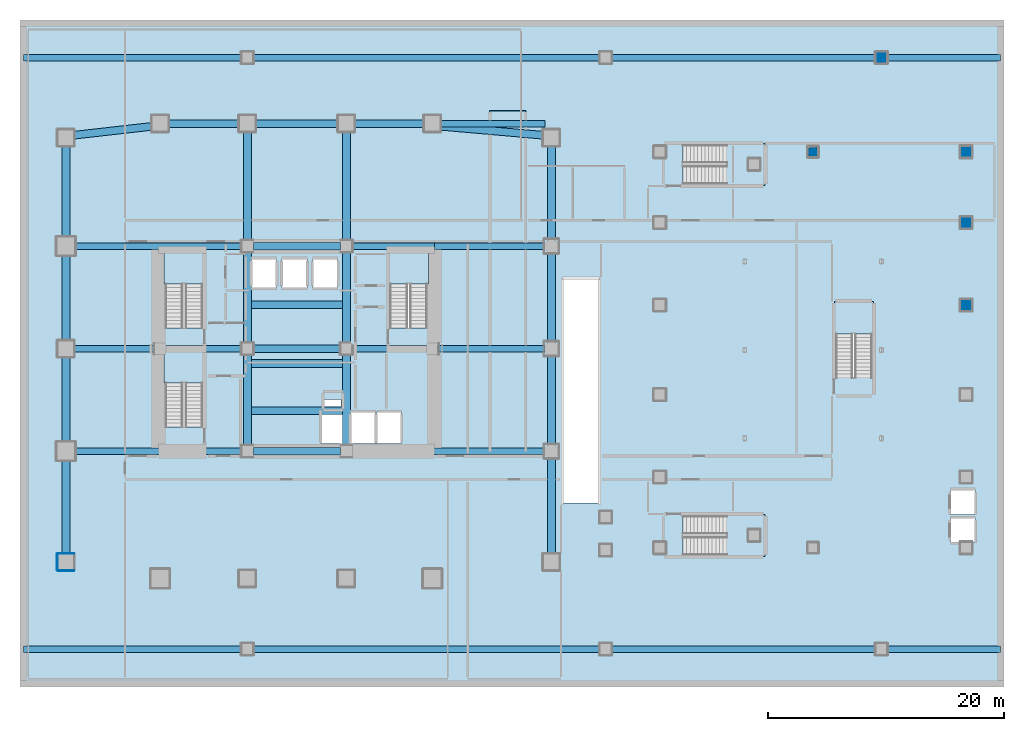
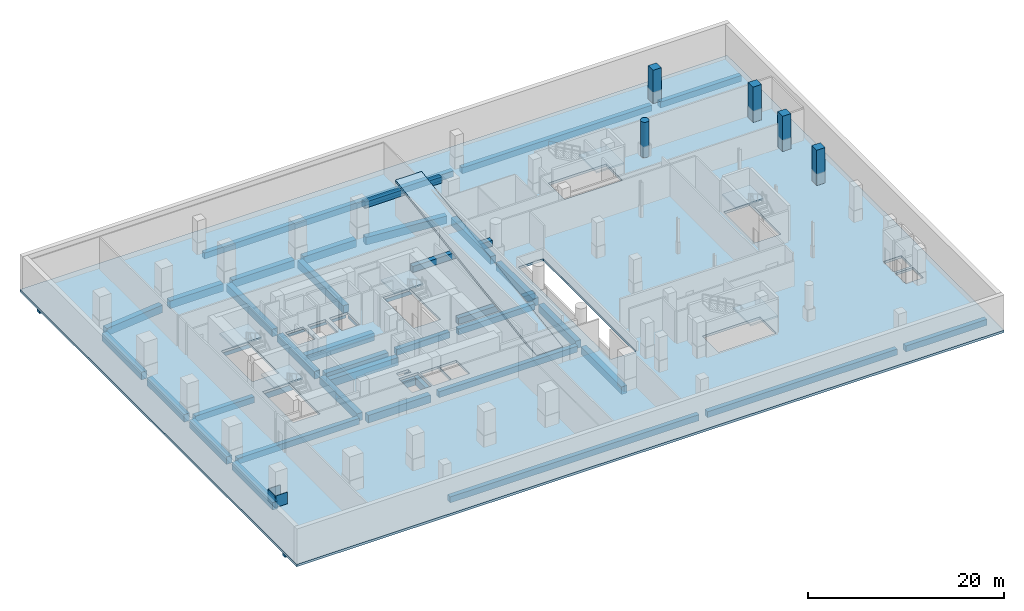
# One storey, part 6 of 22: 44 beams, 8 slabs, 5 columns, 3 walls, 6 elements without a shape of their own.
"""IFC4 building model written with IfcOpenShell, lengths in metres."""

from ifc_helpers import new_model, si_unit, direction, frame, frame_2d, origin, origin_with_axes, origin_2d, place, context, subcontext, project, spatial, polyline, rectangle, circle, outline, extrude, clip, halfspace, material, layer, layer_set, material_profile, profile_set, type_object, element, aggregate, save


model = new_model("IFC4")

# Units and contexts
model_context = context("Model", 3, precision=1e-05, world=origin(), true_north=direction((0.0, 1.0)))
body_context = subcontext(model_context, "Body", "Model", "MODEL_VIEW")
ifc_project = project(units=[si_unit("LENGTHUNIT", "METRE"), si_unit("AREAUNIT", "SQUARE_METRE"), si_unit("VOLUMEUNIT", "CUBIC_METRE"), si_unit("PLANEANGLEUNIT", "RADIAN"), si_unit("MASSUNIT", "GRAM", prefix="KILO")], contexts=[model_context])

# Site, building, storey
site_placement = place(None, origin())
site = spatial("IfcSite", under=ifc_project, at=site_placement, CompositionType="ELEMENT")
building_placement = place(site_placement, origin())
building = spatial("IfcBuilding", under=site, at=building_placement, Name="Solanera Arch Residences", CompositionType="ELEMENT")
storey_placement = place(building_placement, frame((0.0, 0.0, -4.39990234375)))
storey = spatial("IfcBuildingStorey", under=building, at=storey_placement, Name="B01", CompositionType="ELEMENT", Elevation=-4.39990234375)

# Columns
ifc_material_1 = material(Name="Concrete C55/67 (f'c = 60 MPa)", Category="concrete")
ifc_material_profile_1 = material_profile(ifc_material_1, rectangle(XDim=1.0, YDim=1.0, at=origin_2d()))
ifc_profile_set_1 = profile_set([ifc_material_profile_1], Name="Concrete C55/67 (f'c = 60 MPa)")
column_type_1 = type_object("IfcColumnType", Name="Structural Column RC-COL-1000X1000", PredefinedType="COLUMN", material=ifc_profile_set_1)
column_1_placement = place(storey_placement, frame((74.60009765625, 55.39990234375, 0.0), z_axis=(0.0, 0.0, 1.0), x_axis=(1.0, 0.0, 0.0)))
element("IfcColumn", 1, at=column_1_placement, inside=storey, type_object=column_type_1, Name="COL-B01-PAD-14", PredefinedType="COLUMN", context=body_context, shape_type="SweptSolid", body=[
    extrude(rectangle(XDim=1.0, YDim=1.0, at=origin_2d()), origin(), (0.0, 0.0, 1.0), 4.159912109375),
])
for number, where, z_axis, x_axis, name in (
    (2, (81.800048828125, 34.39990234375, 0.0), (0.0, 0.0, 1.0), (1.0, 0.0, 0.0), "COL-B01-HALL-10"),
    (3, (81.800048828125, 41.39990234375, 0.0), (0.0, 0.0, 1.0), (1.0, 0.0, 0.0), "COL-B01-HALL-11"),
    (4, (81.800048828125, 47.39990234375, 0.0), (0.0, 0.0, 1.0), (1.0, 0.0, 0.0), "COL-B01-HALL-12"),
):
    element("IfcColumn", number, at=place(storey_placement, frame(where, z_axis=z_axis, x_axis=x_axis)), inside=storey, type_object=column_type_1, Name=name, PredefinedType="COLUMN", context=body_context, shape_type="SweptSolid", body=[
        extrude(rectangle(XDim=1.0, YDim=1.0, at=origin_2d()), origin(), (0.0, 0.0, 1.0), 4.39990234375),
    ])
ifc_material_2 = material(Name="Concrete C40/50 (f'c = 45 MPa)", Category="concrete")
ifc_material_profile_2 = material_profile(ifc_material_2, circle(Radius=0.449951171875, at=origin_2d()))
ifc_profile_set_2 = profile_set([ifc_material_profile_2], Name="Concrete C40/50 (f'c = 45 MPa)")
column_type_2 = type_object("IfcColumnType", Name="Structural Column RC-COL-D900", PredefinedType="COLUMN", material=ifc_profile_set_2)
column_2_placement = place(storey_placement, frame((68.800048828125, 47.39990234375, 0.0), z_axis=(0.0, 0.0, 1.0), x_axis=(1.0, 0.0, 0.0)))
element("IfcColumn", 5, at=column_2_placement, inside=storey, type_object=column_type_2, Name="COL-B01-HALL-14", PredefinedType="COLUMN", context=body_context, shape_type="SweptSolid", body=[
    extrude(circle(Radius=0.449951171875, at=origin_2d()), origin(), (0.0, 0.0, 1.0), 4.39990234375),
])

# Beams
ifc_material_3 = material(Name="Concrete C40/50 (f'c = 45 MPa)", Category="concrete")
ifc_material_profile_3 = material_profile(ifc_material_3, rectangle(XDim=0.550048828125, YDim=0.75, at=origin_2d()))
ifc_profile_set_3 = profile_set([ifc_material_profile_3], Name="Concrete C40/50 (f'c = 45 MPa)")
beam_type_1 = type_object("IfcBeamType", Name="Primary Beam RC-BM-550X750", PredefinedType="BEAM", material=ifc_profile_set_3)
beam_1_placement = place(storey_placement, frame((5.93994140625, 22.0, -0.675048828125), z_axis=(1.0, 0.0, 0.0), x_axis=(0.0, 1.0, 0.0)))
element("IfcBeam", 6, at=beam_1_placement, inside=storey, type_object=beam_type_1, Name="BM-B01-POD-RW-22", PredefinedType="BEAM", context=body_context, shape_type="SweptSolid", body=[
    extrude(rectangle(XDim=0.550048828125, YDim=0.75, at=origin_2d()), origin(), (0.0, 0.0, 1.0), 14.35595703125),
])
beam_2_placement = place(storey_placement, frame((29.7041015625, 22.0, -0.675048828125), z_axis=(1.0, 0.0, 0.0), x_axis=(0.0, 1.0, 0.0)))
element("IfcBeam", 7, at=beam_2_placement, inside=storey, type_object=beam_type_1, Name="BM-B01-POD-RE-22", PredefinedType="BEAM", context=body_context, shape_type="SweptSolid", body=[
    extrude(rectangle(XDim=0.550048828125, YDim=0.75, at=origin_2d()), origin(), (0.0, 0.0, 1.0), 16.35595703125),
])
beam_3_placement = place(storey_placement, frame((5.93994140625, 30.699951171875, -0.675048828125), z_axis=(1.0, 0.0, 0.0), x_axis=(0.0, 1.0, 0.0)))
element("IfcBeam", 8, at=beam_3_placement, inside=storey, type_object=beam_type_1, Name="BM-B01-POD-RW-30", PredefinedType="BEAM", context=body_context, shape_type="SweptSolid", body=[
    extrude(rectangle(XDim=0.550048828125, YDim=0.75, at=origin_2d()), origin(), (0.0, 0.0, 1.0), 6.9560546875),
])
beam_4_placement = place(storey_placement, frame((37.00390625, 30.699951171875, -0.675048828125), z_axis=(1.0, 0.0, 0.0), x_axis=(0.0, 1.0, 0.0)))
element("IfcBeam", 9, at=beam_4_placement, inside=storey, type_object=beam_type_1, Name="BM-B01-POD-RE-30", PredefinedType="BEAM", context=body_context, shape_type="SweptSolid", body=[
    extrude(rectangle(XDim=0.550048828125, YDim=0.75, at=origin_2d()), origin(), (0.0, 0.0, 1.0), 9.05615234375),
])
beam_5_placement = place(storey_placement, frame((5.93994140625, 39.39990234375, -0.675048828125), z_axis=(1.0, 0.0, 0.0), x_axis=(0.0, 1.0, 0.0)))
element("IfcBeam", 10, at=beam_5_placement, inside=storey, type_object=beam_type_1, Name="BM-B01-POD-RW-39", PredefinedType="BEAM", context=body_context, shape_type="SweptSolid", body=[
    extrude(rectangle(XDim=0.550048828125, YDim=0.75, at=origin_2d()), origin(), (0.0, 0.0, 1.0), 14.35595703125),
])
beam_6_placement = place(storey_placement, frame((29.7041015625, 39.39990234375, -0.675048828125), z_axis=(1.0, 0.0, 0.0), x_axis=(0.0, 1.0, 0.0)))
element("IfcBeam", 11, at=beam_6_placement, inside=storey, type_object=beam_type_1, Name="BM-B01-POD-RE-39", PredefinedType="BEAM", context=body_context, shape_type="SweptSolid", body=[
    extrude(rectangle(XDim=0.550048828125, YDim=0.75, at=origin_2d()), origin(), (0.0, 0.0, 1.0), 16.35595703125),
])
beam_7_placement = place(storey_placement, frame((13.904052734375, 30.699951171875, -0.675048828125), z_axis=(1.0, 0.0, 0.0), x_axis=(0.0, 1.0, 0.0)))
element("IfcBeam", 12, at=beam_7_placement, inside=storey, type_object=beam_type_1, Name="BM-B01-HCCW", PredefinedType="BEAM", context=body_context, shape_type="SweptSolid", body=[
    extrude(rectangle(XDim=0.550048828125, YDim=0.75, at=origin_2d()), origin(), (0.0, 0.0, 1.0), 6.391845703125),
])
beam_8_placement = place(storey_placement, frame((29.7041015625, 30.699951171875, -0.675048828125), z_axis=(1.0, 0.0, 0.0), x_axis=(0.0, 1.0, 0.0)))
element("IfcBeam", 13, at=beam_8_placement, inside=storey, type_object=beam_type_1, Name="BM-B01-HCCE", PredefinedType="BEAM", context=body_context, shape_type="SweptSolid", body=[
    extrude(rectangle(XDim=0.550048828125, YDim=0.75, at=origin_2d()), origin(), (0.0, 0.0, 1.0), 6.2919921875),
])
beam_9_placement = place(storey_placement, frame((37.00390625, 30.699951171875, 0.65478515625), z_axis=(1.0, 0.0, 0.0), x_axis=(0.0, 1.0, 0.0)))
element("IfcBeam", 14, at=beam_9_placement, inside=storey, type_object=beam_type_1, Name="BM-B01-VRMP-1", PredefinedType="BEAM", context=body_context, shape_type="SweptSolid", body=[
    extrude(rectangle(XDim=0.550048828125, YDim=0.75, at=origin_2d()), origin(), (0.0, 0.0, 1.0), 9.05615234375),
])
beam_10_placement = place(storey_placement, frame((36.659912109375, 39.39990234375, 1.98486328125), z_axis=(1.0, 0.0, 0.0), x_axis=(0.0, 1.0, 0.0)))
element("IfcBeam", 15, at=beam_10_placement, inside=storey, type_object=beam_type_1, Name="BM-B01-VRMP-2", PredefinedType="BEAM", context=body_context, shape_type="SweptSolid", body=[
    extrude(rectangle(XDim=0.550048828125, YDim=0.75, at=origin_2d()), origin(), (0.0, 0.0, 1.0), 9.400146484375),
])
beam_11_placement = place(storey_placement, frame((36.97998046875, 49.800048828125, 3.574951171875), z_axis=(1.0, 0.0, 0.0), x_axis=(0.0, 1.0, 0.0)))
element("IfcBeam", 16, at=beam_11_placement, inside=storey, type_object=beam_type_1, Name="BM-B01-VRMP-3", PredefinedType="BEAM", context=body_context, shape_type="SweptSolid", body=[
    extrude(rectangle(XDim=0.550048828125, YDim=0.75, at=origin_2d()), origin(), (0.0, 0.0, 1.0), 9.080078125),
])
beam_12_placement = place(storey_placement, frame((1.800048828125, 5.199951171875, -0.675048828125), z_axis=(1.0, 0.0, 0.0), x_axis=(0.0, 1.0, 0.0)))
element("IfcBeam", 17, at=beam_12_placement, inside=storey, type_object=beam_type_1, Name="BM-B01-BS-1", PredefinedType="BEAM", context=body_context, shape_type="SweptSolid", body=[
    extrude(rectangle(XDim=0.550048828125, YDim=0.75, at=origin_2d()), origin(), (0.0, 0.0, 1.0), 18.5),
])
beam_13_placement = place(storey_placement, frame((21.300048828125, 5.199951171875, -0.675048828125), z_axis=(1.0, 0.0, 0.0), x_axis=(0.0, 1.0, 0.0)))
element("IfcBeam", 18, at=beam_13_placement, inside=storey, type_object=beam_type_1, Name="BM-B01-BS-2", PredefinedType="BEAM", context=body_context, shape_type="SweptSolid", body=[
    extrude(rectangle(XDim=0.550048828125, YDim=0.75, at=origin_2d()), origin(), (0.0, 0.0, 1.0), 29.39990234375),
])
beam_14_placement = place(storey_placement, frame((51.699951171875, 5.199951171875, -0.675048828125), z_axis=(1.0, 0.0, 0.0), x_axis=(0.0, 1.0, 0.0)))
element("IfcBeam", 19, at=beam_14_placement, inside=storey, type_object=beam_type_1, Name="BM-B01-BS-3", PredefinedType="BEAM", context=body_context, shape_type="SweptSolid", body=[
    extrude(rectangle(XDim=0.550048828125, YDim=0.75, at=origin_2d()), origin(), (0.0, 0.0, 1.0), 22.400146484375),
])
beam_15_placement = place(storey_placement, frame((75.10009765625, 5.199951171875, -0.675048828125), z_axis=(1.0, 0.0, 0.0), x_axis=(0.0, 1.0, 0.0)))
element("IfcBeam", 20, at=beam_15_placement, inside=storey, type_object=beam_type_1, Name="BM-B01-BS-4", PredefinedType="BEAM", context=body_context, shape_type="SweptSolid", body=[
    extrude(rectangle(XDim=0.550048828125, YDim=0.75, at=origin_2d()), origin(), (0.0, 0.0, 1.0), 9.599853515625),
])
beam_16_placement = place(storey_placement, frame((1.800048828125, 55.39990234375, -0.675048828125), z_axis=(1.0, 0.0, 0.0), x_axis=(0.0, 1.0, 0.0)))
element("IfcBeam", 21, at=beam_16_placement, inside=storey, type_object=beam_type_1, Name="BM-B01-BN-1", PredefinedType="BEAM", context=body_context, shape_type="SweptSolid", body=[
    extrude(rectangle(XDim=0.550048828125, YDim=0.75, at=origin_2d()), origin(), (0.0, 0.0, 1.0), 18.5),
])
beam_17_placement = place(storey_placement, frame((21.300048828125, 55.39990234375, -0.675048828125), z_axis=(1.0, 0.0, 0.0), x_axis=(0.0, 1.0, 0.0)))
element("IfcBeam", 22, at=beam_17_placement, inside=storey, type_object=beam_type_1, Name="BM-B01-BN-2", PredefinedType="BEAM", context=body_context, shape_type="SweptSolid", body=[
    extrude(rectangle(XDim=0.550048828125, YDim=0.75, at=origin_2d()), origin(), (0.0, 0.0, 1.0), 29.39990234375),
])
beam_18_placement = place(storey_placement, frame((51.699951171875, 55.39990234375, -0.675048828125), z_axis=(1.0, 0.0, 0.0), x_axis=(0.0, 1.0, 0.0)))
element("IfcBeam", 23, at=beam_18_placement, inside=storey, type_object=beam_type_1, Name="BM-B01-BN-3", PredefinedType="BEAM", context=body_context, shape_type="SweptSolid", body=[
    extrude(rectangle(XDim=0.550048828125, YDim=0.75, at=origin_2d()), origin(), (0.0, 0.0, 1.0), 22.400146484375),
])
beam_19_placement = place(storey_placement, frame((75.10009765625, 55.39990234375, -0.675048828125), z_axis=(1.0, 0.0, 0.0), x_axis=(0.0, 1.0, 0.0)))
element("IfcBeam", 24, at=beam_19_placement, inside=storey, type_object=beam_type_1, Name="BM-B01-BN-4", PredefinedType="BEAM", context=body_context, shape_type="SweptSolid", body=[
    extrude(rectangle(XDim=0.550048828125, YDim=0.75, at=origin_2d()), origin(), (0.0, 0.0, 1.0), 9.599853515625),
])
ifc_material_4 = material(Name="Concrete C40/50 (f'c = 45 MPa)", Category="concrete")
ifc_material_profile_4 = material_profile(ifc_material_4, rectangle(XDim=0.64990234375, YDim=0.949951171875, at=origin_2d()))
ifc_profile_set_4 = profile_set([ifc_material_profile_4], Name="Concrete C40/50 (f'c = 45 MPa)")
beam_type_2 = type_object("IfcBeamType", Name="Primary Beam RC-BM-650X950", PredefinedType="BEAM", material=ifc_profile_set_4)
beam_20_placement = place(storey_placement, frame((5.39990234375, 13.139892578125, -0.775146484375), z_axis=(0.0, 1.0, 0.0), x_axis=(-1.0, 0.0, 0.0)))
element("IfcBeam", 25, at=beam_20_placement, inside=storey, type_object=beam_type_2, Name="BM-B01-POD-W1", PredefinedType="BEAM", context=body_context, shape_type="SweptSolid", body=[
    extrude(rectangle(XDim=0.64990234375, YDim=0.949951171875, at=origin_2d()), origin(), (0.0, 0.0, 1.0), 8.320068359375),
])
beam_21_placement = place(storey_placement, frame((5.39990234375, 22.5400390625, -0.775146484375), z_axis=(0.0, 1.0, 0.0), x_axis=(-1.0, 0.0, 0.0)))
element("IfcBeam", 26, at=beam_21_placement, inside=storey, type_object=beam_type_2, Name="BM-B01-POD-W2", PredefinedType="BEAM", context=body_context, shape_type="SweptSolid", body=[
    extrude(rectangle(XDim=0.64990234375, YDim=0.949951171875, at=origin_2d()), origin(), (0.0, 0.0, 1.0), 7.619873046875),
])
beam_22_placement = place(storey_placement, frame((5.39990234375, 31.239990234375, -0.775146484375), z_axis=(0.0, 1.0, 0.0), x_axis=(-1.0, 0.0, 0.0)))
element("IfcBeam", 27, at=beam_22_placement, inside=storey, type_object=beam_type_2, Name="BM-B01-POD-W3", PredefinedType="BEAM", context=body_context, shape_type="SweptSolid", body=[
    extrude(rectangle(XDim=0.64990234375, YDim=0.949951171875, at=origin_2d()), origin(), (0.0, 0.0, 1.0), 7.6201171875),
])
beam_23_placement = place(storey_placement, frame((5.39990234375, 39.93994140625, -0.775146484375), z_axis=(0.0, 1.0, 0.0), x_axis=(-1.0, 0.0, 0.0)))
element("IfcBeam", 28, at=beam_23_placement, inside=storey, type_object=beam_type_2, Name="BM-B01-POD-W4", PredefinedType="BEAM", context=body_context, shape_type="SweptSolid", body=[
    extrude(rectangle(XDim=0.64990234375, YDim=0.949951171875, at=origin_2d()), origin(), (0.0, 0.0, 1.0), 8.1201171875),
])
beam_24_placement = place(storey_placement, frame((5.8798828125, 48.800048828125, -0.775146484375), z_axis=(0.993604551923, 0.112915873098, 0.0), x_axis=(-0.112915873098, 0.993604551923, 0.0)))
element("IfcBeam", 29, at=beam_24_placement, inside=storey, type_object=beam_type_2, Name="BM-B01-POD-N1", PredefinedType="BEAM", context=body_context, shape_type="SweptSolid", body=[
    extrude(rectangle(XDim=0.64990234375, YDim=0.949951171875, at=origin_2d()), origin(), (0.0, 0.0, 1.0), 7.08544921875),
])
beam_25_placement = place(storey_placement, frame((13.93994140625, 49.800048828125, -0.775146484375), z_axis=(1.0, 0.0, 0.0), x_axis=(0.0, 1.0, 0.0)))
element("IfcBeam", 30, at=beam_25_placement, inside=storey, type_object=beam_type_2, Name="BM-B01-POD-N2", PredefinedType="BEAM", context=body_context, shape_type="SweptSolid", body=[
    extrude(rectangle(XDim=0.64990234375, YDim=0.949951171875, at=origin_2d()), origin(), (0.0, 0.0, 1.0), 6.320068359375),
])
beam_26_placement = place(storey_placement, frame((21.340087890625, 49.800048828125, -0.775146484375), z_axis=(1.0, 0.0, 0.0), x_axis=(0.0, 1.0, 0.0)))
element("IfcBeam", 31, at=beam_26_placement, inside=storey, type_object=beam_type_2, Name="BM-B01-POD-N3", PredefinedType="BEAM", context=body_context, shape_type="SweptSolid", body=[
    extrude(rectangle(XDim=0.64990234375, YDim=0.949951171875, at=origin_2d()), origin(), (0.0, 0.0, 1.0), 7.31982421875),
])
beam_27_placement = place(storey_placement, frame((29.739990234375, 49.800048828125, -0.775146484375), z_axis=(1.0, 0.0, 0.0), x_axis=(0.0, 1.0, 0.0)))
element("IfcBeam", 32, at=beam_27_placement, inside=storey, type_object=beam_type_2, Name="BM-B01-POD-N4", PredefinedType="BEAM", context=body_context, shape_type="SweptSolid", body=[
    extrude(rectangle(XDim=0.64990234375, YDim=0.949951171875, at=origin_2d()), origin(), (0.0, 0.0, 1.0), 6.219970703125),
])
beam_28_placement = place(storey_placement, frame((36.97998046875, 49.60009765625, -0.775146484375), z_axis=(0.996191002053, -0.087197978357, 0.0), x_axis=(0.087197978357, 0.996191002053, 0.0)))
element("IfcBeam", 33, at=beam_28_placement, inside=storey, type_object=beam_type_2, Name="BM-B01-POD-N5", PredefinedType="BEAM", context=body_context, shape_type="SweptSolid", body=[
    extrude(rectangle(XDim=0.64990234375, YDim=0.949951171875, at=origin_2d()), origin(), (0.0, 0.0, 1.0), 9.175048828125),
])
beam_29_placement = place(storey_placement, frame((46.60009765625, 13.139892578125, -0.775146484375), z_axis=(0.0, 1.0, 0.0), x_axis=(-1.0, 0.0, 0.0)))
element("IfcBeam", 34, at=beam_29_placement, inside=storey, type_object=beam_type_2, Name="BM-B01-POD-E1", PredefinedType="BEAM", context=body_context, shape_type="SweptSolid", body=[
    extrude(rectangle(XDim=0.64990234375, YDim=0.949951171875, at=origin_2d()), origin(), (0.0, 0.0, 1.0), 8.320068359375),
])
beam_30_placement = place(storey_placement, frame((46.60009765625, 22.5400390625, -0.775146484375), z_axis=(0.0, 1.0, 0.0), x_axis=(-1.0, 0.0, 0.0)))
element("IfcBeam", 35, at=beam_30_placement, inside=storey, type_object=beam_type_2, Name="BM-B01-POD-E2", PredefinedType="BEAM", context=body_context, shape_type="SweptSolid", body=[
    extrude(rectangle(XDim=0.64990234375, YDim=0.949951171875, at=origin_2d()), origin(), (0.0, 0.0, 1.0), 7.619873046875),
])
beam_31_placement = place(storey_placement, frame((46.60009765625, 31.239990234375, -0.775146484375), z_axis=(0.0, 1.0, 0.0), x_axis=(-1.0, 0.0, 0.0)))
element("IfcBeam", 36, at=beam_31_placement, inside=storey, type_object=beam_type_2, Name="BM-B01-POD-E3", PredefinedType="BEAM", context=body_context, shape_type="SweptSolid", body=[
    extrude(rectangle(XDim=0.64990234375, YDim=0.949951171875, at=origin_2d()), origin(), (0.0, 0.0, 1.0), 7.6201171875),
])
beam_32_placement = place(storey_placement, frame((46.60009765625, 39.93994140625, -0.775146484375), z_axis=(0.0, 1.0, 0.0), x_axis=(-1.0, 0.0, 0.0)))
element("IfcBeam", 37, at=beam_32_placement, inside=storey, type_object=beam_type_2, Name="BM-B01-POD-E4", PredefinedType="BEAM", context=body_context, shape_type="SweptSolid", body=[
    extrude(rectangle(XDim=0.64990234375, YDim=0.949951171875, at=origin_2d()), origin(), (0.0, 0.0, 1.0), 8.1201171875),
])
beam_33_placement = place(storey_placement, frame((20.800048828125, 22.50390625, -0.775146484375), z_axis=(0.0, 1.0, 0.0), x_axis=(-1.0, 0.0, 0.0)))
element("IfcBeam", 38, at=beam_33_placement, inside=storey, type_object=beam_type_2, Name="BM-B01-HCNS-20", PredefinedType="BEAM", context=body_context, shape_type="SweptSolid", body=[
    extrude(rectangle(XDim=0.64990234375, YDim=0.949951171875, at=origin_2d()), origin(), (0.0, 0.0, 1.0), 7.692138671875),
])
beam_34_placement = place(storey_placement, frame((20.800048828125, 31.2041015625, -0.775146484375), z_axis=(0.0, 1.0, 0.0), x_axis=(-1.0, 0.0, 0.0)))
element("IfcBeam", 39, at=beam_34_placement, inside=storey, type_object=beam_type_2, Name="BM-B01-HCNN-20", PredefinedType="BEAM", context=body_context, shape_type="SweptSolid", body=[
    extrude(rectangle(XDim=0.64990234375, YDim=0.949951171875, at=origin_2d()), origin(), (0.0, 0.0, 1.0), 7.69189453125),
])
beam_35_placement = place(storey_placement, frame((20.800048828125, 39.904052734375, -0.775146484375), z_axis=(0.0, 1.0, 0.0), x_axis=(-1.0, 0.0, 0.0)))
element("IfcBeam", 40, at=beam_35_placement, inside=storey, type_object=beam_type_2, Name="BM-B01-POD-RN-20", PredefinedType="BEAM", context=body_context, shape_type="SweptSolid", body=[
    extrude(rectangle(XDim=0.64990234375, YDim=0.949951171875, at=origin_2d()), origin(), (0.0, 0.0, 1.0), 9.35595703125),
])
beam_36_placement = place(storey_placement, frame((29.199951171875, 22.50390625, -0.775146484375), z_axis=(0.0, 1.0, 0.0), x_axis=(-1.0, 0.0, 0.0)))
element("IfcBeam", 41, at=beam_36_placement, inside=storey, type_object=beam_type_2, Name="BM-B01-HCNS-29", PredefinedType="BEAM", context=body_context, shape_type="SweptSolid", body=[
    extrude(rectangle(XDim=0.64990234375, YDim=0.949951171875, at=origin_2d()), origin(), (0.0, 0.0, 1.0), 7.692138671875),
])
beam_37_placement = place(storey_placement, frame((29.199951171875, 31.2041015625, -0.775146484375), z_axis=(0.0, 1.0, 0.0), x_axis=(-1.0, 0.0, 0.0)))
element("IfcBeam", 42, at=beam_37_placement, inside=storey, type_object=beam_type_2, Name="BM-B01-HCNN-29", PredefinedType="BEAM", context=body_context, shape_type="SweptSolid", body=[
    extrude(rectangle(XDim=0.64990234375, YDim=0.949951171875, at=origin_2d()), origin(), (0.0, 0.0, 1.0), 7.69189453125),
])
beam_38_placement = place(storey_placement, frame((29.199951171875, 39.904052734375, -0.775146484375), z_axis=(0.0, 1.0, 0.0), x_axis=(-1.0, 0.0, 0.0)))
element("IfcBeam", 43, at=beam_38_placement, inside=storey, type_object=beam_type_2, Name="BM-B01-POD-RN-29", PredefinedType="BEAM", context=body_context, shape_type="SweptSolid", body=[
    extrude(rectangle(XDim=0.64990234375, YDim=0.949951171875, at=origin_2d()), origin(), (0.0, 0.0, 1.0), 9.35595703125),
])
for number, where, z_axis, x_axis, name in (
    (44, (21.303955078125, 22.0, -0.775146484375), (1.0, 0.0, 0.0), (0.0, 1.0, 0.0), "BM-B01-HCEW-22"),
    (45, (21.303955078125, 30.699951171875, -0.775146484375), (1.0, 0.0, 0.0), (0.0, 1.0, 0.0), "BM-B01-HCEW-30"),
    (46, (21.303955078125, 39.39990234375, -0.775146484375), (1.0, 0.0, 0.0), (0.0, 1.0, 0.0), "BM-B01-HCEW-39"),
):
    element("IfcBeam", number, at=place(storey_placement, frame(where, z_axis=z_axis, x_axis=x_axis)), inside=storey, type_object=beam_type_2, Name=name, PredefinedType="BEAM", context=body_context, shape_type="SweptSolid", body=[
        extrude(rectangle(XDim=0.64990234375, YDim=0.949951171875, at=origin_2d()), origin(), (0.0, 0.0, 1.0), 7.39208984375),
    ])
for number, where, z_axis, x_axis, name in (
    (47, (20.800048828125, 25.449951171875, -0.775146484375), (1.0, 0.0, 0.0), (0.0, 1.0, 0.0), "BM-B01-HST-254"),
    (48, (20.800048828125, 29.449951171875, -0.775146484375), (1.0, 0.0, 0.0), (0.0, 1.0, 0.0), "BM-B01-HST-294"),
    (49, (20.800048828125, 34.449951171875, -0.775146484375), (1.0, 0.0, 0.0), (0.0, 1.0, 0.0), "BM-B01-HST-344"),
):
    element("IfcBeam", number, at=place(storey_placement, frame(where, z_axis=z_axis, x_axis=x_axis)), inside=storey, type_object=beam_type_2, Name=name, PredefinedType="BEAM", context=body_context, shape_type="SweptSolid", body=[
        extrude(rectangle(XDim=0.64990234375, YDim=0.949951171875, at=origin_2d()), origin(), (0.0, 0.0, 1.0), 8.39990234375),
    ])

# Slab
ifc_material_5 = material(Name="Concrete C40/50 (f'c = 45 MPa)", Category="concrete")
ifc_layer_1 = layer(ifc_material_5, 0.280029296875)
ifc_layer_set_1 = layer_set([ifc_layer_1], Name="Concrete C40/50 (f'c = 45 MPa)")
slab_type_1 = type_object("IfcSlabType", Name="Reinforced Concrete Vehicle Ramp Slab 280", PredefinedType="FLOOR", material=ifc_layer_set_1)
slab_1_placement = place(storey_placement, origin())
element("IfcSlab", 50, at=slab_1_placement, inside=storey, type_object=slab_type_1, Name="B01 to Ground Vehicle Exit Ramp Slab", PredefinedType="FLOOR", context=body_context, shape_type="Clipping", body=[
    clip(extrude(outline(polyline([(0.0, 0.0), (3.079833984375, 0.0), (3.079833984375, 29.20347251705728), (0.0, 29.20347251705728), (0.0, 0.0)])), frame((41.360107421875, 21.989990234375, 0.0), z_axis=(0.0, -0.150663669917, 0.988585079074), x_axis=(1.0, 0.0, 0.0)), (0.0, 0.0, -1.0), 0.280029296875), halfspace(origin_with_axes(), True)),
])

# Stair, slab
ifc_material_6 = material(Name="Concrete C40/50 (f'c = 45 MPa)", Category="concrete")
stair_type_1 = type_object("IfcStairType", Name="Tower Dogleg Exit Stair 1480", PredefinedType="HALF_TURN_STAIR", material=ifc_material_6)
stair_1_placement = place(storey_placement, origin())
stair_1 = element("IfcStair", 51, at=stair_1_placement, inside=storey, type_object=stair_type_1, Name="B01 Tower Core Exit Stair 1", PredefinedType="HALF_TURN_STAIR")
ifc_material_7 = material(Name="Concrete C40/50 (f'c = 45 MPa)", Category="concrete")
ifc_layer_2 = layer(ifc_material_7, 0.199951171875)
ifc_layer_set_2 = layer_set([ifc_layer_2], Name="Concrete C40/50 (f'c = 45 MPa)")
slab_type_2 = type_object("IfcSlabType", Name="Stair Half-Landing Slab 200", PredefinedType="LANDING", material=ifc_layer_set_2)
slab_2_placement = place(storey_placement, frame((0.0, 0.0, 2.0)))
slab_2 = element("IfcSlab", 52, at=slab_2_placement, type_object=slab_type_2, Name="ST-T1 landing 1", PredefinedType="LANDING", context=body_context, shape_type="SweptSolid", body=[
    extrude(outline(polyline([(17.1201171875, 36.18994140625), (17.1201171875, 38.919921875), (13.719970703125, 38.919921875), (13.719970703125, 36.18994140625), (17.1201171875, 36.18994140625)])), origin(), (0.0, 0.0, 1.0), 0.199951171875),
])
aggregate(stair_1, [slab_2])

stair_2_placement = place(storey_placement, origin())
stair_2 = element("IfcStair", 53, at=stair_2_placement, inside=storey, type_object=stair_type_1, Name="B01 Tower Core Exit Stair 2", PredefinedType="HALF_TURN_STAIR")
slab_3_placement = place(storey_placement, frame((0.0, 0.0, 2.0)))
slab_3 = element("IfcSlab", 54, at=slab_3_placement, type_object=slab_type_2, Name="ST-T2 landing 1", PredefinedType="LANDING", context=body_context, shape_type="SweptSolid", body=[
    extrude(outline(polyline([(36.179931640625, 36.18994140625), (36.179931640625, 38.919921875), (32.780029296875, 38.919921875), (32.780029296875, 36.18994140625), (36.179931640625, 36.18994140625)])), origin(), (0.0, 0.0, 1.0), 0.199951171875),
])
aggregate(stair_2, [slab_3])

stair_3_placement = place(storey_placement, origin())
stair_3 = element("IfcStair", 55, at=stair_3_placement, inside=storey, type_object=stair_type_1, Name="B01 Tower Core Exit Stair 3", PredefinedType="HALF_TURN_STAIR")
slab_4_placement = place(storey_placement, frame((0.0, 0.0, 2.0)))
slab_4 = element("IfcSlab", 56, at=slab_4_placement, type_object=slab_type_2, Name="ST-T3 landing 1", PredefinedType="LANDING", context=body_context, shape_type="SweptSolid", body=[
    extrude(outline(polyline([(17.1201171875, 27.7900390625), (17.1201171875, 30.52001953125), (13.719970703125, 30.52001953125), (13.719970703125, 27.7900390625), (17.1201171875, 27.7900390625)])), origin(), (0.0, 0.0, 1.0), 0.199951171875),
])
aggregate(stair_3, [slab_4])

ifc_material_8 = material(Name="Concrete C40/50 (f'c = 45 MPa)", Category="concrete")
stair_type_2 = type_object("IfcStairType", Name="Arena Dogleg Exit Stair 1560", PredefinedType="HALF_TURN_STAIR", material=ifc_material_8)
stair_4_placement = place(storey_placement, origin())
stair_4 = element("IfcStair", 57, at=stair_4_placement, inside=storey, type_object=stair_type_2, Name="B01 Sports Hall South Exit Stair", PredefinedType="HALF_TURN_STAIR")
slab_5_placement = place(storey_placement, frame((0.0, 0.0, 2.0)))
slab_5 = element("IfcSlab", 58, at=slab_5_placement, type_object=slab_type_2, Name="ST-H1 landing 1", PredefinedType="LANDING", context=body_context, shape_type="SweptSolid", body=[
    extrude(outline(polyline([(61.469970703125, 13.080078125), (64.719970703125, 13.080078125), (64.719970703125, 16.639892578125), (61.469970703125, 16.639892578125), (61.469970703125, 13.080078125)])), origin(), (0.0, 0.0, 1.0), 0.199951171875),
])
aggregate(stair_4, [slab_5])

stair_5_placement = place(storey_placement, origin())
stair_5 = element("IfcStair", 59, at=stair_5_placement, inside=storey, type_object=stair_type_2, Name="B01 Sports Hall North Exit Stair", PredefinedType="HALF_TURN_STAIR")
slab_6_placement = place(storey_placement, frame((0.0, 0.0, 2.0)))
slab_6 = element("IfcSlab", 60, at=slab_6_placement, type_object=slab_type_2, Name="ST-H2 landing 1", PredefinedType="LANDING", context=body_context, shape_type="SweptSolid", body=[
    extrude(outline(polyline([(61.469970703125, 44.56005859375), (64.719970703125, 44.56005859375), (64.719970703125, 48.1201171875), (61.469970703125, 48.1201171875), (61.469970703125, 44.56005859375)])), origin(), (0.0, 0.0, 1.0), 0.199951171875),
])
aggregate(stair_5, [slab_6])

ifc_material_9 = material(Name="Concrete C40/50 (f'c = 45 MPa)", Category="concrete")
stair_type_3 = type_object("IfcStairType", Name="Basement Exit Stair 1440", PredefinedType="HALF_TURN_STAIR", material=ifc_material_9)
stair_6_placement = place(storey_placement, origin())
stair_6 = element("IfcStair", 61, at=stair_6_placement, inside=storey, type_object=stair_type_3, Name="B01 Basement Car Park Exit Stair", PredefinedType="HALF_TURN_STAIR")
slab_7_placement = place(storey_placement, frame((0.0, 0.0, 2.0)))
slab_7 = element("IfcSlab", 62, at=slab_7_placement, type_object=slab_type_2, Name="ST-B1 landing 1", PredefinedType="LANDING", context=body_context, shape_type="SweptSolid", body=[
    extrude(outline(polyline([(73.919921875, 31.949951171875), (73.919921875, 34.719970703125), (70.60009765625, 34.719970703125), (70.60009765625, 31.949951171875), (73.919921875, 31.949951171875)])), origin(), (0.0, 0.0, 1.0), 0.199951171875),
])
aggregate(stair_6, [slab_7])

# Slab
ifc_material_10 = material(Name="Concrete C40/50 (f'c = 45 MPa)", Category="concrete")
ifc_layer_3 = layer(ifc_material_10, 0.300048828125)
ifc_layer_set_3 = layer_set([ifc_layer_3], Name="Concrete C40/50 (f'c = 45 MPa)")
slab_type_3 = type_object("IfcSlabType", Name="Suspended Floor Slab Post-Tensioned 300", PredefinedType="FLOOR", material=ifc_layer_set_3)
slab_8_placement = place(storey_placement, frame((0.0, 0.0, -0.300048828125)))
element("IfcSlab", 63, at=slab_8_placement, inside=storey, type_object=slab_type_3, Name="B01 Basement Car Park Structural Slab", PredefinedType="FLOOR", context=body_context, shape_type="SweptSolid", body=[
    extrude(outline(polyline([(1.5, 2.0), (85.0, 2.0), (85.0, 58.60009765625), (1.5, 58.60009765625), (1.5, 2.0)]), holes=[polyline([(13.840087890625, 32.48291015625), (13.840087890625, 38.800048828125), (17.0, 38.800048828125), (17.0, 32.48291015625), (13.840087890625, 32.48291015625)]), polyline([(32.89990234375, 32.48291015625), (32.89990234375, 38.800048828125), (36.06005859375, 38.800048828125), (36.06005859375, 32.48291015625), (32.89990234375, 32.48291015625)]), polyline([(13.840087890625, 24.0830078125), (13.840087890625, 30.39990234375), (17.0, 30.39990234375), (17.0, 24.0830078125), (13.840087890625, 24.0830078125)]), polyline([(57.762939453125, 16.52001953125), (64.60009765625, 16.52001953125), (64.60009765625, 13.199951171875), (57.762939453125, 13.199951171875), (57.762939453125, 16.52001953125)]), polyline([(57.762939453125, 48.0), (64.60009765625, 48.0), (64.60009765625, 44.679931640625), (57.762939453125, 44.679931640625), (57.762939453125, 48.0)]), polyline([(70.719970703125, 28.242919921875), (70.719970703125, 34.60009765625), (73.800048828125, 34.60009765625), (73.800048828125, 28.242919921875), (70.719970703125, 28.242919921875)]), polyline([(21.14990234375, 38.35009765625), (23.25, 38.35009765625), (23.25, 35.85009765625), (21.14990234375, 35.85009765625), (21.14990234375, 38.35009765625)]), polyline([(23.75, 38.35009765625), (25.85009765625, 38.35009765625), (25.85009765625, 35.85009765625), (23.75, 35.85009765625), (23.75, 38.35009765625)]), polyline([(26.35009765625, 38.35009765625), (28.449951171875, 38.35009765625), (28.449951171875, 35.85009765625), (26.35009765625, 35.85009765625), (26.35009765625, 38.35009765625)]), polyline([(29.550048828125, 25.35009765625), (31.64990234375, 25.35009765625), (31.64990234375, 22.64990234375), (29.550048828125, 22.64990234375), (29.550048828125, 25.35009765625)]), polyline([(31.75, 25.35009765625), (33.85009765625, 25.35009765625), (33.85009765625, 22.64990234375), (31.75, 22.64990234375), (31.75, 25.35009765625)]), polyline([(27.050048828125, 25.449951171875), (29.35009765625, 25.449951171875), (29.35009765625, 22.64990234375), (27.050048828125, 22.64990234375), (27.050048828125, 25.449951171875)]), polyline([(80.449951171875, 16.35009765625), (82.550048828125, 16.35009765625), (82.550048828125, 14.25), (80.449951171875, 14.25), (80.449951171875, 16.35009765625)]), polyline([(80.449951171875, 18.75), (82.550048828125, 18.75), (82.550048828125, 16.64990234375), (80.449951171875, 16.64990234375), (80.449951171875, 18.75)]), polyline([(27.340087890625, 26.3798828125), (28.760009765625, 26.3798828125), (28.760009765625, 25.820068359375), (27.340087890625, 25.820068359375), (27.340087890625, 26.3798828125)]), polyline([(47.60009765625, 36.60009765625), (50.60009765625, 36.60009765625), (50.60009765625, 17.60009765625), (47.60009765625, 17.60009765625), (47.60009765625, 36.60009765625)])]), origin(), (0.0, 0.0, 1.0), 0.300048828125),
])

# Walls
ifc_material_11 = material(Name="Fire-Rated Gypsum Stud Partition", Category="gypsum")
ifc_layer_4 = layer(ifc_material_11, 0.06005859375)
ifc_layer_set_4 = layer_set([ifc_layer_4], Name="Fire-Rated Gypsum Stud Partition")
wall_type = type_object("IfcWallType", Name="Column Acoustic Furring Wall 60", PredefinedType="PARTITIONING", material=ifc_layer_set_4)
for number, where, z_axis, x_axis, name in (
    (64, (4.699951171875, 11.867919921875, 0.0), (0.0, 0.0, 1.0), (1.0, 0.0, 0.0), "B01 Column Furring 21S"),
    (65, (4.699951171875, 13.33203125, 0.0), (0.0, 0.0, 1.0), (1.0, 0.0, 0.0), "B01 Column Furring 21N"),
    (66, (4.66796875, 11.89990234375, 0.0), (0.0, 0.0, 1.0), (0.0, 1.0, 0.0), "B01 Column Furring 21W"),
):
    element("IfcWall", number, at=place(storey_placement, frame(where, z_axis=z_axis, x_axis=x_axis)), inside=storey, type_object=wall_type, Name=name, PredefinedType="PARTITIONING", context=body_context, shape_type="SweptSolid", body=[
        extrude(rectangle(XDim=1.400146484375, YDim=0.06005859375, at=frame_2d((0.7001953125, 0.0))), origin(), (0.0, 0.0, 1.0), 1.449951171875),
    ])

save(model, "model.ifc")
